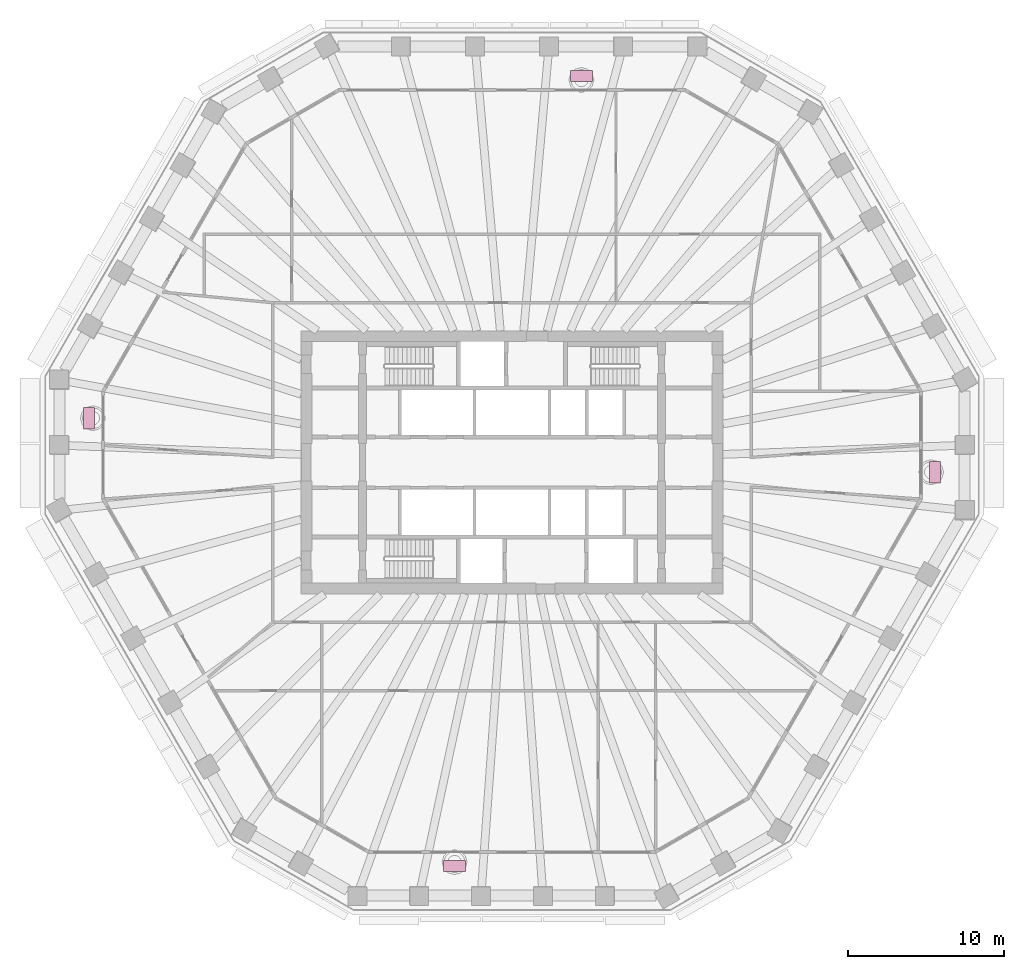
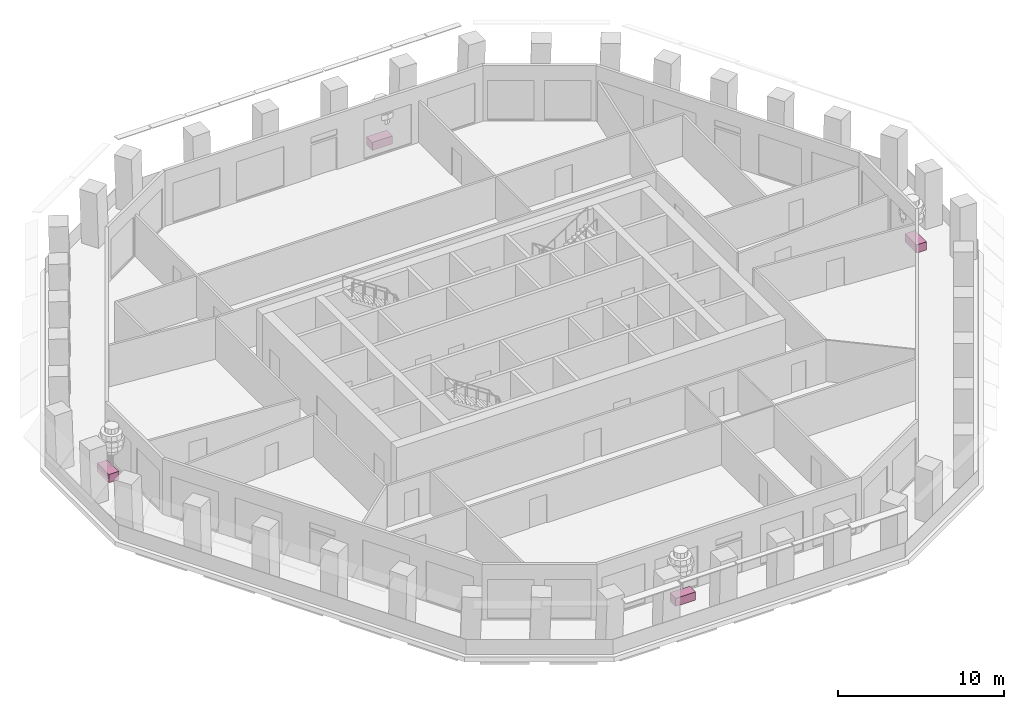
# One storey, part 11 of 12: 4 furniture elements.
"""IFC4 building model written with IfcOpenShell, lengths in metres."""

from ifc_helpers import new_model, si_unit, direction, frame, origin, origin_2d, place, context, subcontext, project, spatial, rectangle, extrude, material, type_object, element, save


model = new_model("IFC4")

# Units and contexts
model_context = context("Model", 3, precision=1e-05, world=origin(), true_north=direction((0.0, 1.0)))
body_context = subcontext(model_context, "Body", "Model", "MODEL_VIEW")
ifc_project = project(units=[si_unit("LENGTHUNIT", "METRE"), si_unit("AREAUNIT", "SQUARE_METRE"), si_unit("VOLUMEUNIT", "CUBIC_METRE"), si_unit("PLANEANGLEUNIT", "RADIAN"), si_unit("MASSUNIT", "GRAM", prefix="KILO")], contexts=[model_context])

# Site, building, storey
site_placement = place(None, origin())
site = spatial("IfcSite", under=ifc_project, at=site_placement, CompositionType="ELEMENT")
building_placement = place(site_placement, origin())
building = spatial("IfcBuilding", under=site, at=building_placement, Name="Frailejon Research Tower", CompositionType="ELEMENT")
storey_placement = place(building_placement, frame((0.0, 0.0, 180.39990234375)))
storey = spatial("IfcBuildingStorey", under=building, at=storey_placement, Name="L39", CompositionType="ELEMENT", Elevation=180.39990234375)

# Furniture
ifc_material = material(Name="Precast concrete C30/37 planter, terracotta", Category="masonry")
furniture_type = type_object("IfcFurnitureType", Name="Loggia planter 1400x700", AssemblyPlace="NOTDEFINED", PredefinedType="USERDEFINED", material=ifc_material)
for number, where, z_axis, x_axis, name in (
    (1, (27.151611328125, -0.625732421875, 0.0), (0.0, 0.0, 1.0), (0.0, 1.0, 0.0), "Planter L39"),
    (2, (4.45361328125, 24.800048828125, 0.0), (0.0, 0.0, 1.0), (-1.0, 0.0, 0.0), "Planter L39"),
    (3, (-27.151611328125, 2.83837890625, 0.0), (0.0, 0.0, 1.0), (0.0, -1.0, 0.0), "Planter L39"),
    (4, (-3.68701171875, -25.90625, 0.0), (0.0, 0.0, 1.0), (1.0, 0.0, 0.0), "Planter L39"),
):
    element("IfcFurniture", number, at=place(storey_placement, frame(where, z_axis=z_axis, x_axis=x_axis)), inside=storey, type_object=furniture_type, Name=name, ObjectType="PLANTER", PredefinedType="USERDEFINED", context=body_context, shape_type="SweptSolid", body=[
        extrude(rectangle(XDim=1.39990234375, YDim=0.699951171875, at=origin_2d()), origin(), (0.0, 0.0, 1.0), 0.60009765625),
    ])

save(model, "model.ifc")
